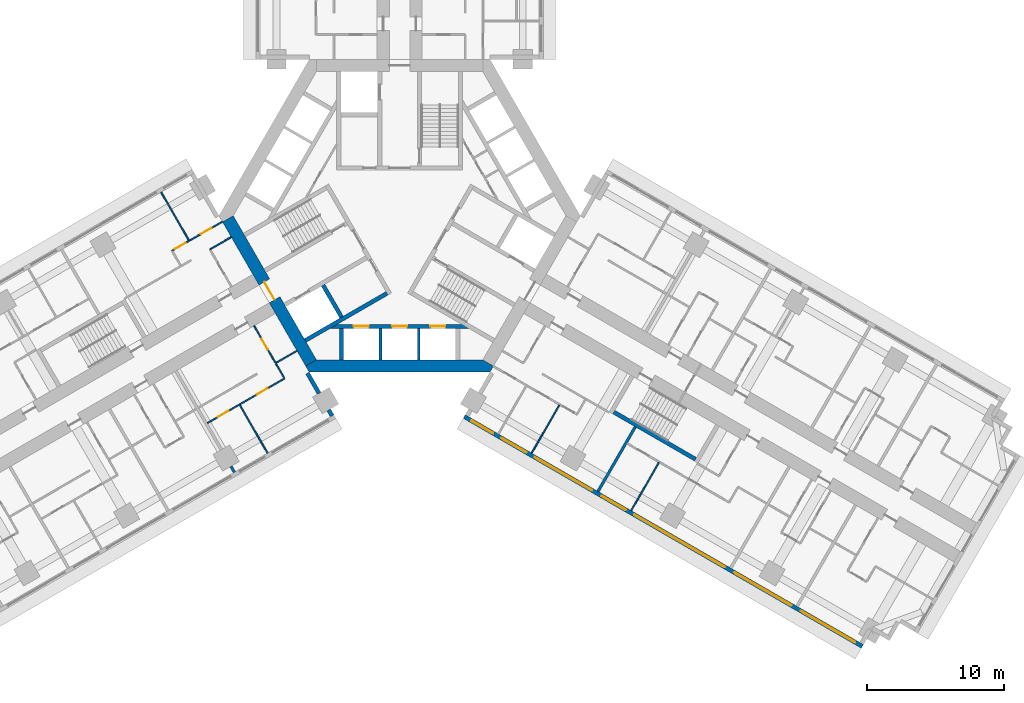
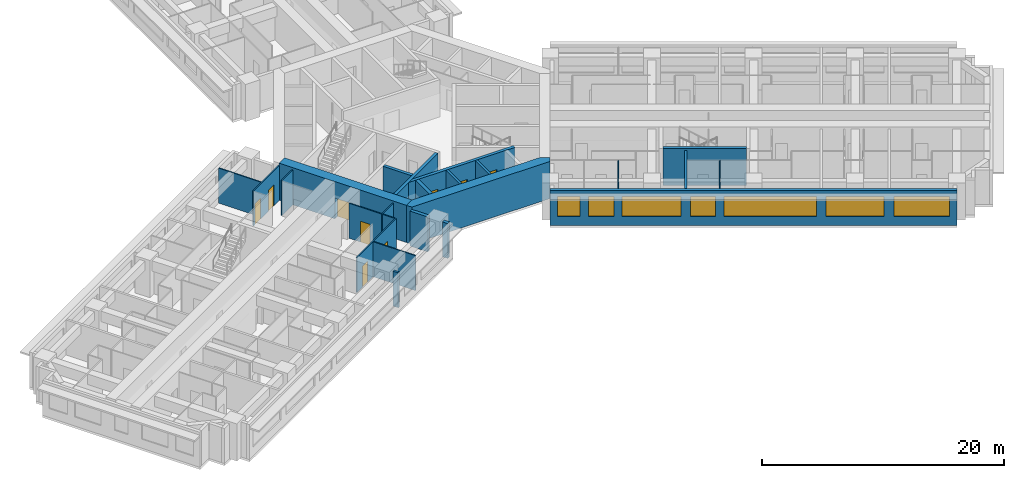
# One storey, part 6 of 16: 24 walls, 9 doors, 7 windows, 16 openings.
"""IFC4 building model written with IfcOpenShell, lengths in metres."""

import ifcopenshell
import ifcopenshell.guid

model = None  # the IFC model being written
_history = None  # IfcOwnerHistory: only IFC2X3 demands one
_inside = {}  # id of a spatial element -> (the spatial element, [elements in it])
_under = {}  # id of a project, library or spatial element -> (it, [spatial elements below it])
_declared = {}  # id of a project -> (the project, [libraries it declares])
_typed = {}  # id of a type object -> (the type object, [elements of that type])
_made_of = {}  # id of a material, layer set ... -> (it, [elements and type objects made of it])


def new_model(schema):
    """Start an empty IFC model of exactly this schema.

    Asked for "IFC4X3", IfcOpenShell would pick the latest addendum, in which some entities
    have other attributes; the version numbers below select the first issue.
    IFC2X3 requires an IfcOwnerHistory on every rooted entity: one is made here for all.
    """
    global model, _history
    if schema == "IFC4X3":
        model = ifcopenshell.file(schema_version=(4, 3, 0, 0))
    else:
        model = ifcopenshell.file(schema=schema)
    _inside.clear()
    _under.clear()
    _declared.clear()
    _typed.clear()
    _made_of.clear()
    _history = None
    if model.schema == "IFC2X3":
        org = make("IfcOrganization", Name="unknown")
        user = make(
            "IfcPersonAndOrganization",
            ThePerson=make("IfcPerson", FamilyName="unknown"),
            TheOrganization=org,
        )
        app = make(
            "IfcApplication",
            ApplicationDeveloper=org,
            Version="unknown",
            ApplicationFullName="unknown",
            ApplicationIdentifier="unknown",
        )
        _history = make(
            "IfcOwnerHistory",
            OwningUser=user,
            OwningApplication=app,
            ChangeAction="ADDED",
            CreationDate=0,
        )
    return model


def make(cls, **values):
    """One entity of the class cls with the attributes given. An attribute that is None is left unset."""
    return model.create_entity(
        cls, **{name: value for name, value in values.items() if value is not None}
    )


def rooted(cls, **values):
    """An entity with a GlobalId (a new one), such as an element, a storey or a relation."""
    return make(cls, GlobalId=ifcopenshell.guid.new(), OwnerHistory=_history, **values)


def si_unit(unit_type, name, prefix=None):
    """IfcSIUnit, for example si_unit("LENGTHUNIT", "METRE", prefix="MILLI")."""
    return make("IfcSIUnit", UnitType=unit_type, Prefix=prefix, Name=name)


def assignment(units):
    """IfcUnitAssignment: the units of a project."""
    return None if units is None else make("IfcUnitAssignment", Units=units)


def point(xyz):
    """IfcCartesianPoint."""
    return None if xyz is None else make("IfcCartesianPoint", Coordinates=xyz)


def direction(xyz):
    """IfcDirection."""
    return None if xyz is None else make("IfcDirection", DirectionRatios=xyz)


def frame(location, z_axis=None, x_axis=None):
    """IfcAxis2Placement3D, a coordinate frame: its origin and axes. An axis left out is left unset."""
    return make(
        "IfcAxis2Placement3D",
        Location=point(location),
        Axis=direction(z_axis),
        RefDirection=direction(x_axis),
    )


def frame_2d(location, x_axis=None):
    """IfcAxis2Placement2D, a coordinate frame in the plane: its origin and x axis."""
    return make(
        "IfcAxis2Placement2D", Location=point(location), RefDirection=direction(x_axis)
    )


def origin():
    """The frame at (0, 0, 0) with its axes left unset."""
    return frame((0.0, 0.0, 0.0))


def place(relative_to, where):
    """IfcLocalPlacement: puts the frame where relative to a parent placement (None: the world)."""
    return make(
        "IfcLocalPlacement", PlacementRelTo=relative_to, RelativePlacement=where
    )


def context(
    kind, dimensions, precision=None, world=None, true_north=None, identifier=None
):
    """IfcGeometricRepresentationContext, for example the 3D "Model" context."""
    return make(
        "IfcGeometricRepresentationContext",
        ContextIdentifier=identifier,
        ContextType=kind,
        CoordinateSpaceDimension=dimensions,
        Precision=precision,
        WorldCoordinateSystem=world,
        TrueNorth=true_north,
    )


def subcontext(parent, identifier, kind, view, scale=None):
    """IfcGeometricRepresentationSubContext, for example "Body" below "Model"."""
    return make(
        "IfcGeometricRepresentationSubContext",
        ContextIdentifier=identifier,
        ContextType=kind,
        ParentContext=parent,
        TargetScale=scale,
        TargetView=view,
    )


def project(units=None, contexts=None):
    """IfcProject with its units and contexts."""
    return rooted(
        "IfcProject",
        Name="project",
        RepresentationContexts=contexts,
        UnitsInContext=assignment(units),
    )


def spatial(cls, under=None, at=None, **own):
    """A site, building, storey or space (cls), placed at a placement, below another one or the project."""
    s = rooted(cls, ObjectPlacement=at, **own)
    if under is not None:
        _under.setdefault(under.id(), (under, []))[1].append(s)
    return s


def polyline(points):
    """IfcPolyline through the points."""
    return make("IfcPolyline", Points=[point(p) for p in points])


def profile(cls, at=None, kind="AREA", **sizes):
    """A parametric profile (cls). Its sizes go by their IFC names, for example OverallWidth=200.0."""
    return make(cls, ProfileType=kind, Position=at, **sizes)


def rectangle(**sizes):
    """IfcRectangleProfileDef."""
    return profile("IfcRectangleProfileDef", **sizes)


def outline(outer, holes=None, kind="AREA"):
    """IfcArbitraryClosedProfileDef: a profile drawn as a closed curve; with holes, ...WithVoids."""
    if holes is None:
        return make("IfcArbitraryClosedProfileDef", ProfileType=kind, OuterCurve=outer)
    return make(
        "IfcArbitraryProfileDefWithVoids",
        ProfileType=kind,
        OuterCurve=outer,
        InnerCurves=holes,
    )


def extrude(swept, where, along, depth):
    """IfcExtrudedAreaSolid: the profile swept, set in the frame where, extruded along a direction by depth."""
    return make(
        "IfcExtrudedAreaSolid",
        SweptArea=swept,
        Position=where,
        ExtrudedDirection=direction(along),
        Depth=depth,
    )


def shape(context_of_items, identifier, shape_type, items):
    """IfcShapeRepresentation: the items that make up one representation, for example the "Body"."""
    return make(
        "IfcShapeRepresentation",
        ContextOfItems=context_of_items,
        RepresentationIdentifier=identifier,
        RepresentationType=shape_type,
        Items=items,
    )


def material(Name=None, Category=None):
    """IfcMaterial."""
    return make("IfcMaterial", Name=Name, Category=Category)


def layer(
    of_material, thickness, ventilated=None, Name=None, Category=None, Priority=None
):
    """IfcMaterialLayer: one layer of a wall or slab, of a material (None: an air gap)."""
    return make(
        "IfcMaterialLayer",
        Material=of_material,
        LayerThickness=thickness,
        IsVentilated=ventilated,
        Name=Name,
        Category=Category,
        Priority=Priority,
    )


def layer_set(layers, Name=None):
    """IfcMaterialLayerSet."""
    return make("IfcMaterialLayerSet", MaterialLayers=layers, LayerSetName=Name)


def made_of(thing, what):
    """Note that an element or type object is made of a material, layer set ...; save() writes the relation."""
    if what is not None:
        _made_of.setdefault(what.id(), (what, []))[1].append(thing)
    return thing


def type_object(cls, material=None, **own):
    """A type object (cls), such as IfcWallType, which elements share."""
    return made_of(rooted(cls, **own), material)


def element(
    cls,
    number,
    at=None,
    inside=None,
    cuts=None,
    type_object=None,
    material=None,
    context=None,
    identifier="Body",
    shape_type=None,
    held_by="IfcProductDefinitionShape",
    body=None,
    shapes=None,
    **own,
):
    """One element of the class cls, such as IfcWall. Its Tag is "e" and its number.

    at: its placement. inside: the storey or other place that contains it. cuts: it is an
    opening in that element (IfcRelVoidsElement). A single representation is given by context,
    identifier, shape_type and body (its items); several are given by shapes. held_by: the class
    of the entity that holds the representations. save() writes the other relations.
    """
    e = rooted(cls, Tag="e%d" % number, ObjectPlacement=at, **own)
    if body is not None:
        shapes = [shape(context, identifier, shape_type, body)]
    if shapes is not None:
        e.Representation = make(held_by, Representations=shapes)
    if inside is not None:
        _inside.setdefault(inside.id(), (inside, []))[1].append(e)
    if cuts is not None:
        rooted(
            "IfcRelVoidsElement", RelatingBuildingElement=cuts, RelatedOpeningElement=e
        )
    if type_object is not None:
        _typed.setdefault(type_object.id(), (type_object, []))[1].append(e)
    return made_of(e, material)


def fill(opening, filler):
    """IfcRelFillsElement: the door or window that sits in an opening."""
    return rooted(
        "IfcRelFillsElement",
        RelatingOpeningElement=opening,
        RelatedBuildingElement=filler,
    )


def aggregate(whole, parts):
    """IfcRelAggregates: a whole, such as a stair, and the parts it consists of."""
    return rooted("IfcRelAggregates", RelatingObject=whole, RelatedObjects=parts)


def save(model, path):
    """Write the relations noted so far, then the file.

    IfcRelAggregates (storeys below a building ...), IfcRelContainedInSpatialStructure (elements
    in a storey), IfcRelDefinesByType, IfcRelAssociatesMaterial and IfcRelDeclares: one each for
    every whole, place, type object, material and project.
    """
    for whole, parts in _under.values():
        aggregate(whole, parts)
    for where, things in _inside.values():
        rooted(
            "IfcRelContainedInSpatialStructure",
            RelatedElements=things,
            RelatingStructure=where,
        )
    for kind, things in _typed.values():
        rooted("IfcRelDefinesByType", RelatedObjects=things, RelatingType=kind)
    for what, things in _made_of.values():
        rooted("IfcRelAssociatesMaterial", RelatedObjects=things, RelatingMaterial=what)
    for by, libraries in _declared.values():
        rooted("IfcRelDeclares", RelatingContext=by, RelatedDefinitions=libraries)
    model.write(path)


model = new_model("IFC4")

# Units and contexts
model_context = context("Model", 3, precision=1e-05, world=origin(), true_north=direction((0.0, 1.0)))
body_context = subcontext(model_context, "Body", "Model", "MODEL_VIEW")
ifc_project = project(units=[si_unit("LENGTHUNIT", "METRE"), si_unit("AREAUNIT", "SQUARE_METRE"), si_unit("VOLUMEUNIT", "CUBIC_METRE"), si_unit("PLANEANGLEUNIT", "RADIAN"), si_unit("MASSUNIT", "GRAM", prefix="KILO")], contexts=[model_context])

# Site, building, storey
site_placement = place(None, origin())
site = spatial("IfcSite", under=ifc_project, at=site_placement, CompositionType="ELEMENT")
building_placement = place(site_placement, origin())
building = spatial("IfcBuilding", under=site, at=building_placement, Name="Impinga Residences", CompositionType="ELEMENT")
storey_placement = place(building_placement, frame((0.0, 0.0, 56.0)))
storey = spatial("IfcBuildingStorey", under=building, at=storey_placement, Name="L13", CompositionType="ELEMENT", Elevation=56.0)

# Wall, openings, windows
ifc_material_1 = material(Name="Terracotta rainscreen on blockwork", Category="masonry")
ifc_layer_1 = layer(ifc_material_1, 0.300048828125)
ifc_layer_set_1 = layer_set([ifc_layer_1], Name="EW1 external wall, terracotta rainscreen on blockwork 300")
wall_type_1 = type_object("IfcWallType", Name="EW1 external wall, terracotta rainscreen on blockwork 300", PredefinedType="SOLIDWALL", material=ifc_layer_set_1)
wall_1_placement = place(storey_placement, frame((33.823486328125, -31.479248046875, 0.0), z_axis=(0.0, 0.0, 1.0), x_axis=(-0.866024291668, 0.500001926238, 0.0)))
wall_1 = element("IfcWall", 1, at=wall_1_placement, inside=storey, type_object=wall_type_1, Name="External wall EW1 L13", PredefinedType="SOLIDWALL", context=body_context, shape_type="SweptSolid", body=[
    extrude(rectangle(XDim=33.599853515625, YDim=0.300048828125, at=frame_2d((16.7998046875, 0.0))), origin(), (0.0, 0.0, 1.0), 3.530029296875),
])
opening_1_placement = place(wall_1_placement, frame((0.60009765625, 0.0, 0.89990234375)))
opening_1 = element("IfcOpeningElement", 2, at=opening_1_placement, cuts=wall_1, Name="Opening W3", PredefinedType="OPENING", context=body_context, shape_type="SweptSolid", body=[
    extrude(rectangle(XDim=4.60009765625, YDim=2.050048828125, at=frame_2d((2.300048828125, 1.02490234375))), frame((0.0, 0.159912109375, 0.0), z_axis=(0.0, -1.0, 0.0), x_axis=(1.0, 0.0, 0.0)), (0.0, 0.0, 1.0), 0.320068359375),
])
opening_2_placement = place(wall_1_placement, frame((6.0, 0.0, 0.89990234375)))
opening_2 = element("IfcOpeningElement", 3, at=opening_2_placement, cuts=wall_1, Name="Opening W8", PredefinedType="OPENING", context=body_context, shape_type="SweptSolid", body=[
    extrude(rectangle(XDim=4.800048828125, YDim=2.050048828125, at=frame_2d((2.39990234375, 1.02490234375))), frame((0.0, 0.159912109375, 0.0), z_axis=(0.0, -1.0, 0.0), x_axis=(1.0, 0.0, 0.0)), (0.0, 0.0, 1.0), 0.320068359375),
])
opening_3_placement = place(wall_1_placement, frame((11.60009765625, 0.0, 0.89990234375)))
opening_3 = element("IfcOpeningElement", 4, at=opening_3_placement, cuts=wall_1, Name="Opening W13", PredefinedType="OPENING", context=body_context, shape_type="SweptSolid", body=[
    extrude(rectangle(XDim=7.64990234375, YDim=2.050048828125, at=frame_2d((3.824951171875, 1.02490234375))), frame((0.0, 0.159912109375, 0.0), z_axis=(0.0, -1.0, 0.0), x_axis=(1.0, 0.0, 0.0)), (0.0, 0.0, 1.0), 0.320068359375),
])
opening_4_placement = place(wall_1_placement, frame((19.949951171875, 0.0, 0.89990234375)))
opening_4 = element("IfcOpeningElement", 5, at=opening_4_placement, cuts=wall_1, Name="Opening W14", PredefinedType="OPENING", context=body_context, shape_type="SweptSolid", body=[
    extrude(rectangle(XDim=2.050048828125, YDim=2.050048828125, at=frame_2d((1.02490234375, 1.02490234375))), frame((0.0, 0.159912109375, 0.0), z_axis=(0.0, -1.0, 0.0), x_axis=(1.0, 0.0, 0.0)), (0.0, 0.0, 1.0), 0.320068359375),
])
opening_5_placement = place(wall_1_placement, frame((22.800048828125, 0.0, 0.89990234375)))
opening_5 = element("IfcOpeningElement", 6, at=opening_5_placement, cuts=wall_1, Name="Opening W6", PredefinedType="OPENING", context=body_context, shape_type="SweptSolid", body=[
    extrude(rectangle(XDim=4.85009765625, YDim=2.050048828125, at=frame_2d((2.425048828125, 1.02490234375))), frame((0.0, 0.159912109375, 0.0), z_axis=(0.0, -1.0, 0.0), x_axis=(1.0, 0.0, 0.0)), (0.0, 0.0, 1.0), 0.320068359375),
])
opening_6_placement = place(wall_1_placement, frame((28.35009765625, 0.0, 0.89990234375)))
opening_6 = element("IfcOpeningElement", 7, at=opening_6_placement, cuts=wall_1, Name="Opening W9", PredefinedType="OPENING", context=body_context, shape_type="SweptSolid", body=[
    extrude(rectangle(XDim=2.10009765625, YDim=2.050048828125, at=frame_2d((1.050048828125, 1.02490234375))), frame((0.0, 0.159912109375, 0.0), z_axis=(0.0, -1.0, 0.0), x_axis=(1.0, 0.0, 0.0)), (0.0, 0.0, 1.0), 0.320068359375),
])
opening_7_placement = place(wall_1_placement, frame((31.14990234375, 0.0, 0.89990234375)))
opening_7 = element("IfcOpeningElement", 8, at=opening_7_placement, cuts=wall_1, Name="Opening W15", PredefinedType="OPENING", context=body_context, shape_type="SweptSolid", body=[
    extrude(rectangle(XDim=1.85009765625, YDim=2.050048828125, at=frame_2d((0.925048828125, 1.02490234375))), frame((0.0, 0.159912109375, 0.0), z_axis=(0.0, -1.0, 0.0), x_axis=(1.0, 0.0, 0.0)), (0.0, 0.0, 1.0), 0.320068359375),
])
ifc_material_2 = material(Name="Aluminium window, clear double glazing", Category="aluminium")
window_type_1 = type_object("IfcWindowType", Name="W13 ribbon window 7650x2050", PartitioningType="SINGLE_PANEL", PredefinedType="WINDOW", material=ifc_material_2)
window_1_placement = place(opening_3_placement, origin())
window_1 = element("IfcWindow", 9, at=window_1_placement, inside=storey, type_object=window_type_1, Name="Window L13", OverallHeight=2.050048828125, OverallWidth=7.64990234375, PartitioningType="SINGLE_PANEL", PredefinedType="WINDOW", context=body_context, shape_type="SweptSolid", body=[
    extrude(rectangle(XDim=7.64990234375, YDim=2.050048828125, at=frame_2d((3.824951171875, 1.02490234375))), frame((0.0, 0.030029296875, 0.0), z_axis=(0.0, -1.0, 0.0), x_axis=(1.0, 0.0, 0.0)), (0.0, 0.0, 1.0), 0.06005859375),
])
fill(opening_3, window_1)
window_type_2 = type_object("IfcWindowType", Name="W14 ribbon window 2050x2050", PartitioningType="SINGLE_PANEL", PredefinedType="WINDOW", material=ifc_material_2)
window_2_placement = place(opening_4_placement, origin())
window_2 = element("IfcWindow", 10, at=window_2_placement, inside=storey, type_object=window_type_2, Name="Window L13", OverallHeight=2.050048828125, OverallWidth=2.050048828125, PartitioningType="SINGLE_PANEL", PredefinedType="WINDOW", context=body_context, shape_type="SweptSolid", body=[
    extrude(rectangle(XDim=2.050048828125, YDim=2.050048828125, at=frame_2d((1.02490234375, 1.02490234375))), frame((0.0, 0.030029296875, 0.0), z_axis=(0.0, -1.0, 0.0), x_axis=(1.0, 0.0, 0.0)), (0.0, 0.0, 1.0), 0.06005859375),
])
fill(opening_4, window_2)
window_type_3 = type_object("IfcWindowType", Name="W15 ribbon window 1850x2050", PartitioningType="SINGLE_PANEL", PredefinedType="WINDOW", material=ifc_material_2)
window_3_placement = place(opening_7_placement, origin())
window_3 = element("IfcWindow", 11, at=window_3_placement, inside=storey, type_object=window_type_3, Name="Window L13", OverallHeight=2.050048828125, OverallWidth=1.85009765625, PartitioningType="SINGLE_PANEL", PredefinedType="WINDOW", context=body_context, shape_type="SweptSolid", body=[
    extrude(rectangle(XDim=1.85009765625, YDim=2.050048828125, at=frame_2d((0.925048828125, 1.02490234375))), frame((0.0, 0.030029296875, 0.0), z_axis=(0.0, -1.0, 0.0), x_axis=(1.0, 0.0, 0.0)), (0.0, 0.0, 1.0), 0.06005859375),
])
fill(opening_7, window_3)
window_type_4 = type_object("IfcWindowType", Name="W3 ribbon window 4600x2050", PartitioningType="SINGLE_PANEL", PredefinedType="WINDOW", material=ifc_material_2)
window_4_placement = place(opening_1_placement, origin())
window_4 = element("IfcWindow", 12, at=window_4_placement, inside=storey, type_object=window_type_4, Name="Window L13", OverallHeight=2.050048828125, OverallWidth=4.60009765625, PartitioningType="SINGLE_PANEL", PredefinedType="WINDOW", context=body_context, shape_type="SweptSolid", body=[
    extrude(rectangle(XDim=4.60009765625, YDim=2.050048828125, at=frame_2d((2.300048828125, 1.02490234375))), frame((0.0, 0.030029296875, 0.0), z_axis=(0.0, -1.0, 0.0), x_axis=(1.0, 0.0, 0.0)), (0.0, 0.0, 1.0), 0.06005859375),
])
fill(opening_1, window_4)
window_type_5 = type_object("IfcWindowType", Name="W6 ribbon window 4850x2050", PartitioningType="SINGLE_PANEL", PredefinedType="WINDOW", material=ifc_material_2)
window_5_placement = place(opening_5_placement, origin())
window_5 = element("IfcWindow", 13, at=window_5_placement, inside=storey, type_object=window_type_5, Name="Window L13", OverallHeight=2.050048828125, OverallWidth=4.85009765625, PartitioningType="SINGLE_PANEL", PredefinedType="WINDOW", context=body_context, shape_type="SweptSolid", body=[
    extrude(rectangle(XDim=4.85009765625, YDim=2.050048828125, at=frame_2d((2.425048828125, 1.02490234375))), frame((0.0, 0.030029296875, 0.0), z_axis=(0.0, -1.0, 0.0), x_axis=(1.0, 0.0, 0.0)), (0.0, 0.0, 1.0), 0.06005859375),
])
fill(opening_5, window_5)
window_type_6 = type_object("IfcWindowType", Name="W8 ribbon window 4800x2050", PartitioningType="SINGLE_PANEL", PredefinedType="WINDOW", material=ifc_material_2)
window_6_placement = place(opening_2_placement, origin())
window_6 = element("IfcWindow", 14, at=window_6_placement, inside=storey, type_object=window_type_6, Name="Window L13", OverallHeight=2.050048828125, OverallWidth=4.800048828125, PartitioningType="SINGLE_PANEL", PredefinedType="WINDOW", context=body_context, shape_type="SweptSolid", body=[
    extrude(rectangle(XDim=4.800048828125, YDim=2.050048828125, at=frame_2d((2.39990234375, 1.02490234375))), frame((0.0, 0.030029296875, 0.0), z_axis=(0.0, -1.0, 0.0), x_axis=(1.0, 0.0, 0.0)), (0.0, 0.0, 1.0), 0.06005859375),
])
fill(opening_2, window_6)
window_type_7 = type_object("IfcWindowType", Name="W9 ribbon window 2100x2050", PartitioningType="SINGLE_PANEL", PredefinedType="WINDOW", material=ifc_material_2)
window_7_placement = place(opening_6_placement, origin())
window_7 = element("IfcWindow", 15, at=window_7_placement, inside=storey, type_object=window_type_7, Name="Window L13", OverallHeight=2.050048828125, OverallWidth=2.10009765625, PartitioningType="SINGLE_PANEL", PredefinedType="WINDOW", context=body_context, shape_type="SweptSolid", body=[
    extrude(rectangle(XDim=2.10009765625, YDim=2.050048828125, at=frame_2d((1.050048828125, 1.02490234375))), frame((0.0, 0.030029296875, 0.0), z_axis=(0.0, -1.0, 0.0), x_axis=(1.0, 0.0, 0.0)), (0.0, 0.0, 1.0), 0.06005859375),
])
fill(opening_6, window_7)

# Walls
wall_2_placement = place(storey_placement, frame((-6.72998046875, -11.506591796875, 0.0), z_axis=(0.0, 0.0, 1.0), x_axis=(0.500062241894, -0.865989465428, 0.0)))
element("IfcWall", 16, at=wall_2_placement, inside=storey, type_object=wall_type_1, Name="External wall EW1 L13", PredefinedType="SOLIDWALL", context=body_context, shape_type="SweptSolid", body=[
    extrude(rectangle(XDim=1.699951171875, YDim=0.300048828125, at=frame_2d((0.85009765625, 0.0))), origin(), (0.0, 0.0, 1.0), 3.530029296875),
])
wall_3_placement = place(storey_placement, frame((-5.179931640625, -14.191162109375, 0.0), z_axis=(0.0, 0.0, 1.0), x_axis=(0.499919672301, -0.866071776036, 0.0)))
element("IfcWall", 17, at=wall_3_placement, inside=storey, type_object=wall_type_1, Name="External wall EW1 L13", PredefinedType="SOLIDWALL", context=body_context, shape_type="SweptSolid", body=[
    extrude(rectangle(XDim=0.5, YDim=0.300048828125, at=frame_2d((0.25, 0.0))), origin(), (0.0, 0.0, 1.0), 3.530029296875),
])
ifc_material_3 = material(Name="Gypsum board on steel studs", Category="steel")
ifc_layer_2 = layer(ifc_material_3, 0.10009765625)
ifc_layer_set_2 = layer_set([ifc_layer_2], Name="Gypsum board on steel studs")
wall_type_2 = type_object("IfcWallType", Name="IP1 partition 100", PredefinedType="PARTITIONING", material=ifc_layer_set_2)
wall_4_placement = place(storey_placement, frame((-7.5, -9.872802734375, 0.0), z_axis=(0.0, 0.0, 1.0), x_axis=(-0.866047807691, -0.499961193289, 0.0)))
element("IfcWall", 18, at=wall_4_placement, inside=storey, type_object=wall_type_2, Name="Partition L13-WA1:DIV0", PredefinedType="PARTITIONING", context=body_context, shape_type="SweptSolid", body=[
    extrude(rectangle(XDim=1.800048828125, YDim=0.10009765625, at=frame_2d((0.89990234375, 0.0))), origin(), (0.0, 0.0, 1.0), 3.530029296875),
])

# Wall, openings, doors
wall_5_placement = place(storey_placement, frame((-8.408935546875, -11.8984375, 0.0), z_axis=(0.0, 0.0, 1.0), x_axis=(-0.866024837091, -0.50000098154, 0.0)))
wall_5 = element("IfcWall", 19, at=wall_5_placement, inside=storey, type_object=wall_type_2, Name="Partition L13-WA1:STRIP", PredefinedType="PARTITIONING", context=body_context, shape_type="SweptSolid", body=[
    extrude(rectangle(XDim=6.5, YDim=0.10009765625, at=frame_2d((3.25, 0.0))), origin(), (0.0, 0.0, 1.0), 3.530029296875),
])
opening_8_placement = place(wall_5_placement, frame((1.425048828125, 0.0, 0.0)))
opening_8 = element("IfcOpeningElement", 20, at=opening_8_placement, cuts=wall_5, Name="Opening D2", PredefinedType="OPENING", context=body_context, shape_type="SweptSolid", body=[
    extrude(rectangle(XDim=0.89990234375, YDim=2.10009765625, at=frame_2d((0.449951171875, 1.050048828125))), frame((0.0, 0.06005859375, 0.0), z_axis=(0.0, -1.0, 0.0), x_axis=(1.0, 0.0, 0.0)), (0.0, 0.0, 1.0), 0.1201171875),
])
opening_9_placement = place(wall_5_placement, frame((4.72509765625, 0.0, 0.0)))
opening_9 = element("IfcOpeningElement", 21, at=opening_9_placement, cuts=wall_5, Name="Opening D2", PredefinedType="OPENING", context=body_context, shape_type="SweptSolid", body=[
    extrude(rectangle(XDim=0.89990234375, YDim=2.10009765625, at=frame_2d((0.449951171875, 1.050048828125))), frame((0.0, 0.06005859375, 0.0), z_axis=(0.0, -1.0, 0.0), x_axis=(1.0, 0.0, 0.0)), (0.0, 0.0, 1.0), 0.1201171875),
])
ifc_material_4 = material(Name="Timber door set", Category="wood")
door_type_1 = type_object("IfcDoorType", Name="D2 internal door 900x2100", OperationType="SINGLE_SWING_LEFT", PredefinedType="DOOR", material=ifc_material_4)
door_1_placement = place(opening_8_placement, origin())
door_1 = element("IfcDoor", 22, at=door_1_placement, inside=storey, type_object=door_type_1, Name="Apartment L13-WA1 room door", OperationType="SINGLE_SWING_LEFT", OverallHeight=2.10009765625, OverallWidth=0.89990234375, PredefinedType="DOOR", context=body_context, shape_type="SweptSolid", body=[
    extrude(rectangle(XDim=0.89990234375, YDim=2.10009765625, at=frame_2d((0.449951171875, 1.050048828125))), frame((0.0, 0.02490234375, 0.0), z_axis=(0.0, -1.0, 0.0), x_axis=(1.0, 0.0, 0.0)), (0.0, 0.0, 1.0), 0.050048828125),
])
fill(opening_8, door_1)
door_2_placement = place(opening_9_placement, origin())
door_2 = element("IfcDoor", 23, at=door_2_placement, inside=storey, type_object=door_type_1, Name="Apartment L13-WA1 room door", OperationType="SINGLE_SWING_RIGHT", OverallHeight=2.10009765625, OverallWidth=0.89990234375, PredefinedType="DOOR", context=body_context, shape_type="SweptSolid", body=[
    extrude(rectangle(XDim=0.89990234375, YDim=2.10009765625, at=frame_2d((0.449951171875, 1.050048828125))), frame((0.0, 0.02490234375, 0.0), z_axis=(0.0, -1.0, 0.0), x_axis=(1.0, 0.0, 0.0)), (0.0, 0.0, 1.0), 0.050048828125),
])
fill(opening_9, door_2)

# Wall
wall_6_placement = place(storey_placement, frame((-9.033935546875, -10.81591796875, 0.0), z_axis=(0.0, 0.0, 1.0), x_axis=(0.500033551112, -0.866006032174, 0.0)))
element("IfcWall", 24, at=wall_6_placement, inside=storey, type_object=wall_type_2, Name="Partition L13-WA1:SE0", PredefinedType="PARTITIONING", context=body_context, shape_type="SweptSolid", body=[
    extrude(rectangle(XDim=1.2001953125, YDim=0.10009765625, at=frame_2d((0.60009765625, 0.0))), origin(), (0.0, 0.0, 1.0), 3.530029296875),
])

# Wall, opening, door
wall_7_placement = place(storey_placement, frame((-10.6337890625, -8.044677734375, 0.0), z_axis=(0.0, 0.0, 1.0), x_axis=(0.49999285859, -0.86602952684, 0.0)))
wall_7 = element("IfcWall", 25, at=wall_7_placement, inside=storey, type_object=wall_type_2, Name="Partition L13-WA1:IB1", PredefinedType="PARTITIONING", context=body_context, shape_type="SweptSolid", body=[
    extrude(rectangle(XDim=3.10009765625, YDim=0.10009765625, at=frame_2d((1.550048828125, 0.0))), origin(), (0.0, 0.0, 1.0), 3.530029296875),
])
opening_10_placement = place(wall_7_placement, frame((1.10009765625, 0.0, 0.0)))
opening_10 = element("IfcOpeningElement", 26, at=opening_10_placement, cuts=wall_7, Name="Opening D2", PredefinedType="OPENING", context=body_context, shape_type="SweptSolid", body=[
    extrude(rectangle(XDim=0.89990234375, YDim=2.10009765625, at=frame_2d((0.449951171875, 1.050048828125))), frame((0.0, 0.06005859375, 0.0), z_axis=(0.0, -1.0, 0.0), x_axis=(1.0, 0.0, 0.0)), (0.0, 0.0, 1.0), 0.1201171875),
])
door_3_placement = place(opening_10_placement, origin())
door_3 = element("IfcDoor", 27, at=door_3_placement, inside=storey, type_object=door_type_1, Name="Apartment L13-WA1 bathroom door", OperationType="SINGLE_SWING_LEFT", OverallHeight=2.10009765625, OverallWidth=0.89990234375, PredefinedType="DOOR", context=body_context, shape_type="SweptSolid", body=[
    extrude(rectangle(XDim=0.89990234375, YDim=2.10009765625, at=frame_2d((0.449951171875, 1.050048828125))), frame((0.0, 0.02490234375, 0.0), z_axis=(0.0, -1.0, 0.0), x_axis=(1.0, 0.0, 0.0)), (0.0, 0.0, 1.0), 0.050048828125),
])
fill(opening_10, door_3)

# Walls
wall_8_placement = place(storey_placement, frame((-11.6748046875, -13.841796875, 0.0), z_axis=(0.0, 0.0, 1.0), x_axis=(0.500035537042, -0.866004885491, 0.0)))
element("IfcWall", 28, at=wall_8_placement, inside=storey, type_object=wall_type_2, Name="Partition L13-WA1:OB1", PredefinedType="PARTITIONING", context=body_context, shape_type="SweptSolid", body=[
    extrude(rectangle(XDim=4.050048828125, YDim=0.10009765625, at=frame_2d((2.02490234375, 0.0))), origin(), (0.0, 0.0, 1.0), 3.530029296875),
])
wall_9_placement = place(storey_placement, frame((-12.300048828125, -1.558837890625, 0.0), z_axis=(0.0, 0.0, 1.0), x_axis=(-0.866047807691, -0.499961193289, 0.0)))
element("IfcWall", 29, at=wall_9_placement, inside=storey, type_object=wall_type_2, Name="Partition L13-WF1:DIV0", PredefinedType="PARTITIONING", context=body_context, shape_type="SweptSolid", body=[
    extrude(rectangle(XDim=1.800048828125, YDim=0.10009765625, at=frame_2d((0.89990234375, 0.0))), origin(), (0.0, 0.0, 1.0), 3.530029296875),
])

# Wall, openings, doors
wall_10_placement = place(storey_placement, frame((-12.949951171875, -0.43310546875, 0.0), z_axis=(0.0, 0.0, 1.0), x_axis=(-0.866028703517, -0.499994284652, 0.0)))
wall_10 = element("IfcWall", 30, at=wall_10_placement, inside=storey, type_object=wall_type_2, Name="Partition L13-WF1:STRIP", PredefinedType="PARTITIONING", context=body_context, shape_type="SweptSolid", body=[
    extrude(rectangle(XDim=4.25, YDim=0.10009765625, at=frame_2d((2.125, 0.0))), origin(), (0.0, 0.0, 1.0), 3.530029296875),
])
opening_11_placement = place(wall_10_placement, frame((0.925048828125, 0.0, 0.0)))
opening_11 = element("IfcOpeningElement", 31, at=opening_11_placement, cuts=wall_10, Name="Opening D2", PredefinedType="OPENING", context=body_context, shape_type="SweptSolid", body=[
    extrude(rectangle(XDim=0.89990234375, YDim=2.10009765625, at=frame_2d((0.449951171875, 1.050048828125))), frame((0.0, 0.06005859375, 0.0), z_axis=(0.0, -1.0, 0.0), x_axis=(1.0, 0.0, 0.0)), (0.0, 0.0, 1.0), 0.1201171875),
])
opening_12_placement = place(wall_10_placement, frame((3.10009765625, 0.0, 0.0)))
opening_12 = element("IfcOpeningElement", 32, at=opening_12_placement, cuts=wall_10, Name="Opening D2", PredefinedType="OPENING", context=body_context, shape_type="SweptSolid", body=[
    extrude(rectangle(XDim=0.89990234375, YDim=2.10009765625, at=frame_2d((0.449951171875, 1.050048828125))), frame((0.0, 0.06005859375, 0.0), z_axis=(0.0, -1.0, 0.0), x_axis=(1.0, 0.0, 0.0)), (0.0, 0.0, 1.0), 0.1201171875),
])
door_4_placement = place(opening_11_placement, origin())
door_4 = element("IfcDoor", 33, at=door_4_placement, inside=storey, type_object=door_type_1, Name="Apartment L13-WF1 room door", OperationType="SINGLE_SWING_LEFT", OverallHeight=2.10009765625, OverallWidth=0.89990234375, PredefinedType="DOOR", context=body_context, shape_type="SweptSolid", body=[
    extrude(rectangle(XDim=0.89990234375, YDim=2.10009765625, at=frame_2d((0.449951171875, 1.050048828125))), frame((0.0, 0.02490234375, 0.0), z_axis=(0.0, -1.0, 0.0), x_axis=(1.0, 0.0, 0.0)), (0.0, 0.0, 1.0), 0.050048828125),
])
fill(opening_11, door_4)
door_5_placement = place(opening_12_placement, origin())
door_5 = element("IfcDoor", 34, at=door_5_placement, inside=storey, type_object=door_type_1, Name="Apartment L13-WF1 room door", OperationType="SINGLE_SWING_RIGHT", OverallHeight=2.10009765625, OverallWidth=0.89990234375, PredefinedType="DOOR", context=body_context, shape_type="SweptSolid", body=[
    extrude(rectangle(XDim=0.89990234375, YDim=2.10009765625, at=frame_2d((0.449951171875, 1.050048828125))), frame((0.0, 0.02490234375, 0.0), z_axis=(0.0, -1.0, 0.0), x_axis=(1.0, 0.0, 0.0)), (0.0, 0.0, 1.0), 0.050048828125),
])
fill(opening_12, door_5)

# Walls
for number, where, z_axis, x_axis, name in (
    (35, (-15.39990234375, -1.789794921875, 0.0), (0.0, 0.0, 1.0), (-0.499964223975, 0.866046058097, 0.0), "Partition L13-WF1:OB1"),
    (36, (11.6748046875, -13.841796875, 0.0), (0.0, 0.0, 1.0), (-0.500035537042, -0.866004885491, 0.0), "Partition L13-EF1:OB2"),
):
    element("IfcWall", number, at=place(storey_placement, frame(where, z_axis=z_axis, x_axis=x_axis)), inside=storey, type_object=wall_type_2, Name=name, PredefinedType="PARTITIONING", context=body_context, shape_type="SweptSolid", body=[
        extrude(rectangle(XDim=4.050048828125, YDim=0.10009765625, at=frame_2d((2.02490234375, 0.0))), origin(), (0.0, 0.0, 1.0), 3.530029296875),
    ])
wall_11_placement = place(storey_placement, frame((18.949462890625, -18.041748046875, 0.0), z_axis=(0.0, 0.0, 1.0), x_axis=(-0.50000943426, -0.866019956843, 0.0)))
element("IfcWall", 37, at=wall_11_placement, inside=storey, type_object=wall_type_2, Name="Partition L13-EF2:OB1", PredefinedType="PARTITIONING", context=body_context, shape_type="SweptSolid", body=[
    extrude(rectangle(XDim=4.05029296875, YDim=0.10009765625, at=frame_2d((2.025146484375, 0.0))), origin(), (0.0, 0.0, 1.0), 3.530029296875),
])
ifc_material_5 = material(Name="Concrete blockwork", Category="masonry")
ifc_layer_3 = layer(ifc_material_5, 0.199951171875)
ifc_layer_set_3 = layer_set([ifc_layer_3], Name="PW1 party wall between apartments 200")
wall_type_3 = type_object("IfcWallType", Name="PW1 party wall between apartments 200", PredefinedType="SOLIDWALL", material=ifc_layer_set_3)
wall_12_placement = place(storey_placement, frame((-12.32470703125, -18.316162109375, 0.0), z_axis=(0.0, 0.0, 1.0), x_axis=(0.499919672301, -0.866071776036, 0.0)))
element("IfcWall", 38, at=wall_12_placement, inside=storey, type_object=wall_type_3, Name="Party wall between apartments L13-WA1:PARTYb", PredefinedType="SOLIDWALL", context=body_context, shape_type="SweptSolid", body=[
    extrude(rectangle(XDim=0.5, YDim=0.199951171875, at=frame_2d((0.25, 0.0))), origin(), (0.0, 0.0, 1.0), 3.530029296875),
])
wall_13_placement = place(storey_placement, frame((17.224365234375, -15.429443359375, 0.0), z_axis=(0.0, 0.0, 1.0), x_axis=(-0.499988730927, -0.866031909889, 0.0)))
element("IfcWall", 39, at=wall_13_placement, inside=storey, type_object=wall_type_3, Name="Party wall between apartments L13-EF1:PARTY", PredefinedType="SOLIDWALL", context=body_context, shape_type="SweptSolid", body=[
    extrude(rectangle(XDim=5.449951171875, YDim=0.199951171875, at=frame_2d((2.72509765625, 0.0))), origin(), (0.0, 0.0, 1.0), 3.530029296875),
])
ifc_material_6 = material(Name="Concrete C60/75", Category="concrete")
ifc_layer_4 = layer(ifc_material_6, 0.300048828125)
ifc_layer_set_4 = layer_set([ifc_layer_4], Name="Concrete C60/75")
wall_type_4 = type_object("IfcWallType", Name="SE1 wing stair enclosure wall 300", PredefinedType="SOLIDWALL", material=ifc_layer_set_4)
wall_14_placement = place(storey_placement, frame((15.654052734375, -14.349365234375, 0.0), z_axis=(0.0, 0.0, 1.0), x_axis=(0.866013532718, -0.500020560727, 0.0)))
element("IfcWall", 40, at=wall_14_placement, inside=storey, type_object=wall_type_4, Name="Stair enclosure wall SE1 E OUT L13", PredefinedType="SOLIDWALL", context=body_context, shape_type="SweptSolid", body=[
    extrude(rectangle(XDim=6.900146484375, YDim=0.300048828125, at=frame_2d((3.4501953125, 0.0))), origin(), (0.0, 0.0, 1.0), 3.75),
])

# Wall, opening, door
ifc_material_7 = material(Name="Concrete C70/85", Category="concrete")
ifc_layer_5 = layer(ifc_material_7, 0.89990234375)
ifc_layer_set_5 = layer_set([ifc_layer_5], Name="Concrete C70/85")
wall_type_5 = type_object("IfcWallType", Name="SW1 core wall 900", PredefinedType="SHEAR", material=ifc_layer_set_5)
wall_15_placement = place(storey_placement, frame((-6.47021484375, -10.756591796875, 0.0), z_axis=(0.0, 0.0, 1.0), x_axis=(-0.499997612506, 0.8660267822, 0.0)))
wall_15 = element("IfcWall", 41, at=wall_15_placement, inside=storey, type_object=wall_type_5, Name="Core wall SW1 W:FACE L13", PredefinedType="SHEAR", context=body_context, shape_type="SweptSolid", body=[
    extrude(rectangle(XDim=12.16064453125, YDim=0.89990234375, at=frame_2d((6.080322265625, 0.0))), origin(), (0.0, 0.0, 1.0), 3.75),
])
opening_13_placement = place(wall_15_placement, frame((5.330322265625, 0.0, 0.0)))
opening_13 = element("IfcOpeningElement", 42, at=opening_13_placement, cuts=wall_15, Name="Opening D4", PredefinedType="OPENING", context=body_context, shape_type="SweptSolid", body=[
    extrude(rectangle(XDim=1.5, YDim=2.10009765625, at=frame_2d((0.75, 1.050048828125))), frame((0.0, 0.4599609375, 0.0), z_axis=(0.0, -1.0, 0.0), x_axis=(1.0, 0.0, 0.0)), (0.0, 0.0, 1.0), 0.919921875),
])
door_type_2 = type_object("IfcDoorType", Name="D4 lobby door pair 1500x2100", OperationType="DOUBLE_DOOR_DOUBLE_SWING", PredefinedType="DOOR", material=ifc_material_4)
door_6_placement = place(opening_13_placement, origin())
door_6 = element("IfcDoor", 43, at=door_6_placement, inside=storey, type_object=door_type_2, Name="Lobby door W", OperationType="DOUBLE_DOOR_DOUBLE_SWING", OverallHeight=2.10009765625, OverallWidth=1.5, PredefinedType="DOOR", context=body_context, shape_type="SweptSolid", body=[
    extrude(rectangle(XDim=1.5, YDim=2.10009765625, at=frame_2d((0.75, 1.050048828125))), frame((0.0, 0.02490234375, 0.0), z_axis=(0.0, -1.0, 0.0), x_axis=(1.0, 0.0, 0.0)), (0.0, 0.0, 1.0), 0.050048828125),
])
fill(opening_13, door_6)

# Walls
wall_16_placement = place(storey_placement, origin())
element("IfcWall", 44, at=wall_16_placement, inside=storey, type_object=wall_type_5, Name="Core wall SW1 N:EXPOSED L13", PredefinedType="SHEAR", context=body_context, shape_type="SweptSolid", body=[
    extrude(outline(polyline([(-6.60009765625, -11.431640625), (6.60009765625, -11.431640625), (6.85986328125, -10.9814453125), (6.080322265625, -10.531494140625), (-6.080322265625, -10.531494140625), (-6.85986328125, -10.9814453125), (-6.60009765625, -11.431640625)])), origin(), (0.0, 0.0, 1.0), 3.75),
])
ifc_layer_6 = layer(ifc_material_7, 0.300048828125)
ifc_layer_set_6 = layer_set([ifc_layer_6], Name="Concrete C70/85")
wall_type_6 = type_object("IfcWallType", Name="SW5 core inner wall, stairs, shafts and lobbies 300", PredefinedType="SHEAR", material=ifc_layer_set_6)
wall_17_placement = place(storey_placement, frame((-0.918701171875, -5.668701171875, 0.0), z_axis=(0.0, 0.0, 1.0), x_axis=(-0.866011800373, -0.500023561059, 0.0)))
element("IfcWall", 45, at=wall_17_placement, inside=storey, type_object=wall_type_6, Name="Core wall SW5 W:FF-OUT L13", PredefinedType="SHEAR", context=body_context, shape_type="SweptSolid", body=[
    extrude(rectangle(XDim=6.901611328125, YDim=0.300048828125, at=frame_2d((3.45068359375, 0.0))), origin(), (0.0, 0.0, 1.0), 3.75),
])
wall_18_placement = place(storey_placement, frame((-4.2412109375, -7.413818359375, 0.0), z_axis=(0.0, 0.0, 1.0), x_axis=(-0.500048589285, 0.86599734893, 0.0)))
element("IfcWall", 46, at=wall_18_placement, inside=storey, type_object=wall_type_6, Name="Core wall SW5 W:FF-RS L13", PredefinedType="SHEAR", context=body_context, shape_type="SweptSolid", body=[
    extrude(rectangle(XDim=2.699951171875, YDim=0.300048828125, at=frame_2d((1.35009765625, 0.0))), origin(), (0.0, 0.0, 1.0), 3.75),
])

# Wall, openings, doors
wall_19_placement = place(storey_placement, frame((5.09765625, -8.08154296875, 0.0), z_axis=(0.0, 0.0, 1.0), x_axis=(-1.0, 0.0, 0.0)))
wall_19 = element("IfcWall", 47, at=wall_19_placement, inside=storey, type_object=wall_type_6, Name="Core wall SW5 N:BANK-FRONT L13", PredefinedType="SHEAR", context=body_context, shape_type="SweptSolid", body=[
    extrude(rectangle(XDim=10.1953125, YDim=0.300048828125, at=frame_2d((5.09765625, 0.0))), origin(), (0.0, 0.0, 1.0), 3.75),
])
opening_14_placement = place(wall_19_placement, frame((1.74755859375, 0.0, 0.0)))
opening_14 = element("IfcOpeningElement", 48, at=opening_14_placement, cuts=wall_19, Name="Opening LD1", PredefinedType="OPENING", context=body_context, shape_type="SweptSolid", body=[
    extrude(rectangle(XDim=1.10009765625, YDim=2.10009765625, at=frame_2d((0.550048828125, 1.050048828125))), frame((0.0, 0.159912109375, 0.0), z_axis=(0.0, -1.0, 0.0), x_axis=(1.0, 0.0, 0.0)), (0.0, 0.0, 1.0), 0.320068359375),
])
opening_15_placement = place(wall_19_placement, frame((4.547607421875, 0.0, 0.0)))
opening_15 = element("IfcOpeningElement", 49, at=opening_15_placement, cuts=wall_19, Name="Opening LD1", PredefinedType="OPENING", context=body_context, shape_type="SweptSolid", body=[
    extrude(rectangle(XDim=1.10009765625, YDim=2.10009765625, at=frame_2d((0.550048828125, 1.050048828125))), frame((0.0, 0.159912109375, 0.0), z_axis=(0.0, -1.0, 0.0), x_axis=(1.0, 0.0, 0.0)), (0.0, 0.0, 1.0), 0.320068359375),
])
opening_16_placement = place(wall_19_placement, frame((7.34765625, 0.0, 0.0)))
opening_16 = element("IfcOpeningElement", 50, at=opening_16_placement, cuts=wall_19, Name="Opening LD1", PredefinedType="OPENING", context=body_context, shape_type="SweptSolid", body=[
    extrude(rectangle(XDim=1.10009765625, YDim=2.10009765625, at=frame_2d((0.550048828125, 1.050048828125))), frame((0.0, 0.159912109375, 0.0), z_axis=(0.0, -1.0, 0.0), x_axis=(1.0, 0.0, 0.0)), (0.0, 0.0, 1.0), 0.320068359375),
])
ifc_material_8 = material(Name="Steel lift landing door", Category="steel")
door_type_3 = type_object("IfcDoorType", Name="LD1 passenger lift landing door 1100x2100", OperationType="DOUBLE_DOOR_SLIDING", PredefinedType="DOOR", material=ifc_material_8)
door_7_placement = place(opening_14_placement, origin())
door_7 = element("IfcDoor", 51, at=door_7_placement, inside=storey, type_object=door_type_3, Name="Lift landing door P1", OperationType="DOUBLE_DOOR_SLIDING", OverallHeight=2.10009765625, OverallWidth=1.10009765625, PredefinedType="DOOR", context=body_context, shape_type="SweptSolid", body=[
    extrude(rectangle(XDim=1.10009765625, YDim=2.10009765625, at=frame_2d((0.550048828125, 1.050048828125))), frame((0.0, 0.02490234375, 0.0), z_axis=(0.0, -1.0, 0.0), x_axis=(1.0, 0.0, 0.0)), (0.0, 0.0, 1.0), 0.050048828125),
])
fill(opening_14, door_7)
door_8_placement = place(opening_15_placement, origin())
door_8 = element("IfcDoor", 52, at=door_8_placement, inside=storey, type_object=door_type_3, Name="Lift landing door P2", OperationType="DOUBLE_DOOR_SLIDING", OverallHeight=2.10009765625, OverallWidth=1.10009765625, PredefinedType="DOOR", context=body_context, shape_type="SweptSolid", body=[
    extrude(rectangle(XDim=1.10009765625, YDim=2.10009765625, at=frame_2d((0.550048828125, 1.050048828125))), frame((0.0, 0.02490234375, 0.0), z_axis=(0.0, -1.0, 0.0), x_axis=(1.0, 0.0, 0.0)), (0.0, 0.0, 1.0), 0.050048828125),
])
fill(opening_15, door_8)
door_9_placement = place(opening_16_placement, origin())
door_9 = element("IfcDoor", 53, at=door_9_placement, inside=storey, type_object=door_type_3, Name="Lift landing door P3", OperationType="DOUBLE_DOOR_SLIDING", OverallHeight=2.10009765625, OverallWidth=1.10009765625, PredefinedType="DOOR", context=body_context, shape_type="SweptSolid", body=[
    extrude(rectangle(XDim=1.10009765625, YDim=2.10009765625, at=frame_2d((0.550048828125, 1.050048828125))), frame((0.0, 0.02490234375, 0.0), z_axis=(0.0, -1.0, 0.0), x_axis=(1.0, 0.0, 0.0)), (0.0, 0.0, 1.0), 0.050048828125),
])
fill(opening_16, door_9)

# Walls
wall_20_placement = place(storey_placement, frame((-4.25, -8.2314453125, 0.0), z_axis=(0.0, 0.0, 1.0), x_axis=(0.0, -1.0, 0.0)))
element("IfcWall", 54, at=wall_20_placement, inside=storey, type_object=wall_type_6, Name="Core wall SW5 N:BANK-R L13", PredefinedType="SHEAR", context=body_context, shape_type="SweptSolid", body=[
    extrude(rectangle(XDim=2.300048828125, YDim=0.300048828125, at=frame_2d((1.14990234375, 0.0))), origin(), (0.0, 0.0, 1.0), 3.75),
])
ifc_layer_7 = layer(ifc_material_7, 0.199951171875)
ifc_layer_set_7 = layer_set([ifc_layer_7], Name="Concrete C70/85")
wall_type_7 = type_object("IfcWallType", Name="SW6 lift shaft divider wall 200", PredefinedType="SHEAR", material=ifc_layer_set_7)
for number, where, z_axis, x_axis, name in (
    (55, (1.39990234375, -8.2314453125, 0.0), (0.0, 0.0, 1.0), (0.0, -1.0, 0.0), "Core wall SW6 N:BANK-D1 L13"),
    (56, (-1.39990234375, -8.2314453125, 0.0), (0.0, 0.0, 1.0), (0.0, -1.0, 0.0), "Core wall SW6 N:BANK-D2 L13"),
):
    element("IfcWall", number, at=place(storey_placement, frame(where, z_axis=z_axis, x_axis=x_axis)), inside=storey, type_object=wall_type_7, Name=name, PredefinedType="SHEAR", context=body_context, shape_type="SweptSolid", body=[
        extrude(rectangle(XDim=2.300048828125, YDim=0.199951171875, at=frame_2d((1.14990234375, 0.0))), origin(), (0.0, 0.0, 1.0), 3.75),
    ])

save(model, "model.ifc")
